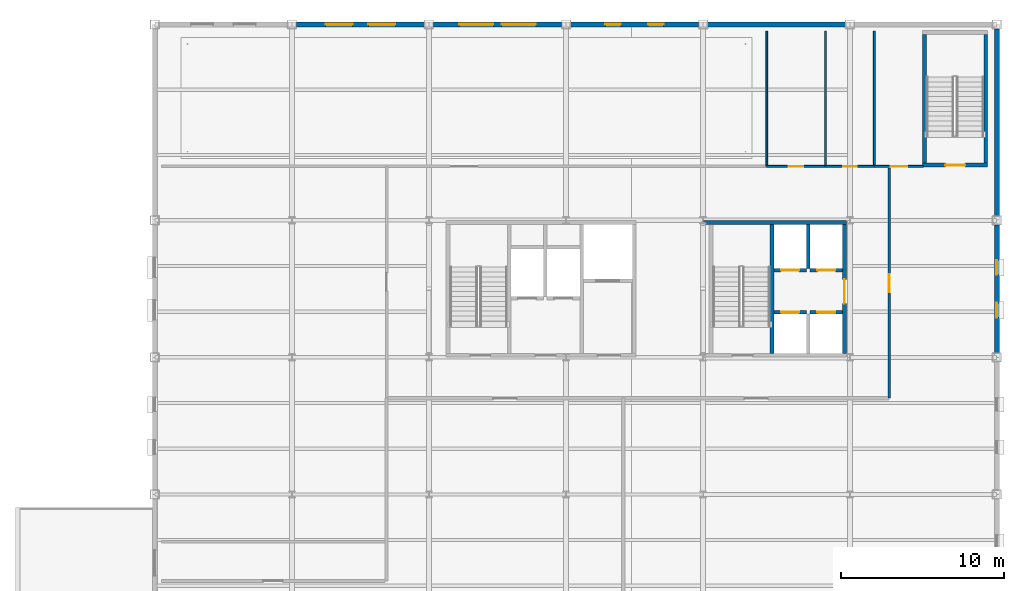
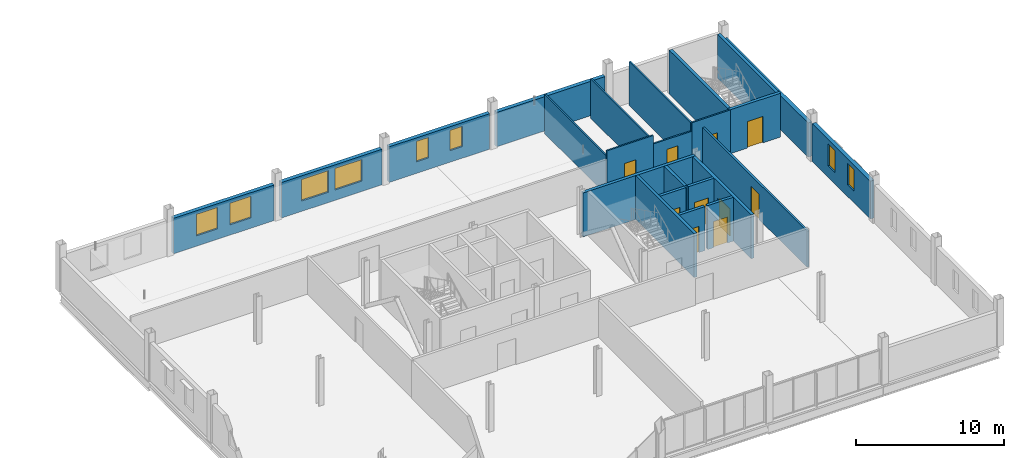
# One storey, part 64 of 77: 24 walls, 10 doors, 8 windows, 18 openings.
"""IFC4 building model written with IfcOpenShell, lengths in metres."""

from ifc_helpers import new_model, si_unit, direction, frame, frame_2d, origin, place, context, subcontext, project, spatial, rectangle, extrude, material, layer, layer_set, type_object, element, fill, save


model = new_model("IFC4")

# Units and contexts
model_context = context("Model", 3, precision=1e-05, world=origin(), true_north=direction((0.0, 1.0)))
body_context = subcontext(model_context, "Body", "Model", "MODEL_VIEW")
ifc_project = project(units=[si_unit("LENGTHUNIT", "METRE"), si_unit("AREAUNIT", "SQUARE_METRE"), si_unit("VOLUMEUNIT", "CUBIC_METRE"), si_unit("PLANEANGLEUNIT", "RADIAN"), si_unit("MASSUNIT", "GRAM", prefix="KILO")], contexts=[model_context])

# Site, building, storey
site_placement = place(None, origin())
site = spatial("IfcSite", under=ifc_project, at=site_placement, CompositionType="ELEMENT")
building_placement = place(site_placement, origin())
building = spatial("IfcBuilding", under=site, at=building_placement, Name="Yukiwa Park Conservatory and Herbarium", CompositionType="ELEMENT")
storey_placement = place(building_placement, frame((0.0, 0.0, 13.199951171875)))
storey = spatial("IfcBuildingStorey", under=building, at=storey_placement, Name="L03", CompositionType="ELEMENT", Elevation=13.199951171875)

# Walls
ifc_material_1 = material(Name="Concrete C40", Category="concrete")
ifc_layer_1 = layer(ifc_material_1, 0.219970703125)
ifc_layer_set_1 = layer_set([ifc_layer_1], Name="Concrete C40")
wall_type_1 = type_object("IfcWallType", Name="WL-CORE-RC220", PredefinedType="SHEAR", material=ifc_layer_set_1)
wall_1_placement = place(storey_placement, frame((154.219970703125, 95.050048828125, 0.0), z_axis=(0.0, 0.0, 1.0), x_axis=(0.0, 1.0, 0.0)))
element("IfcWall", 1, at=wall_1_placement, inside=storey, type_object=wall_type_1, Name="L03 core shear wall 315", PredefinedType="SHEAR", context=body_context, shape_type="SweptSolid", body=[
    extrude(rectangle(XDim=7.89990234375, YDim=0.219970703125, at=frame_2d((3.949951171875, 0.0))), origin(), (0.0, 0.0, 1.0), 3.6201171875),
])
wall_2_placement = place(storey_placement, frame((156.43994140625, 100.25, 0.0), z_axis=(0.0, 0.0, 1.0), x_axis=(0.0, 1.0, 0.0)))
element("IfcWall", 2, at=wall_2_placement, inside=storey, type_object=wall_type_1, Name="L03 core shear wall 317", PredefinedType="SHEAR", context=body_context, shape_type="SweptSolid", body=[
    extrude(rectangle(XDim=2.699951171875, YDim=0.219970703125, at=frame_2d((1.35009765625, 0.0))), origin(), (0.0, 0.0, 1.0), 3.6201171875),
])

# Wall, opening, door
wall_3_placement = place(storey_placement, frame((154.330078125, 100.139892578125, 0.0), z_axis=(0.0, 0.0, 1.0), x_axis=(1.0, 0.0, 0.0)))
wall_3 = element("IfcWall", 3, at=wall_3_placement, inside=storey, type_object=wall_type_1, Name="L03 core shear wall 318", PredefinedType="SHEAR", context=body_context, shape_type="SweptSolid", body=[
    extrude(rectangle(XDim=2.0, YDim=0.219970703125, at=frame_2d((1.0, 0.0))), origin(), (0.0, 0.0, 1.0), 3.6201171875),
])
opening_1_placement = place(wall_3_placement, frame((0.449951171875, 0.0, 0.0)))
opening_1 = element("IfcOpeningElement", 4, at=opening_1_placement, cuts=wall_3, Name="Opening LD-01", PredefinedType="OPENING", context=body_context, shape_type="SweptSolid", body=[
    extrude(rectangle(XDim=1.10009765625, YDim=2.14990234375, at=frame_2d((0.550048828125, 1.074951171875))), frame((0.0, 0.1201171875, 0.0), z_axis=(0.0, -1.0, 0.0), x_axis=(1.0, 0.0, 0.0)), (0.0, 0.0, 1.0), 0.239990234375),
])
ifc_material_2 = material(Name="Steel Q235B", Category="steel")
door_type_1 = type_object("IfcDoorType", Name="DR-LIFT-LD1100", OperationType="SLIDING_TO_LEFT", PredefinedType="DOOR", material=ifc_material_2)
door_1_placement = place(opening_1_placement, origin())
door_1 = element("IfcDoor", 5, at=door_1_placement, inside=storey, type_object=door_type_1, Name="L03 Passenger Lift LP1 sliding landing door", OperationType="SLIDING_TO_LEFT", OverallHeight=2.14990234375, OverallWidth=1.10009765625, PredefinedType="DOOR", context=body_context, shape_type="SweptSolid", body=[
    extrude(rectangle(XDim=1.10009765625, YDim=2.14990234375, at=frame_2d((0.550048828125, 1.074951171875))), frame((0.0, 0.02490234375, 0.0), z_axis=(0.0, -1.0, 0.0), x_axis=(1.0, 0.0, 0.0)), (0.0, 0.0, 1.0), 0.050048828125),
])
fill(opening_1, door_1)

wall_4_placement = place(storey_placement, frame((156.550048828125, 100.139892578125, 0.0), z_axis=(0.0, 0.0, 1.0), x_axis=(1.0, 0.0, 0.0)))
wall_4 = element("IfcWall", 6, at=wall_4_placement, inside=storey, type_object=wall_type_1, Name="L03 core shear wall 319", PredefinedType="SHEAR", context=body_context, shape_type="SweptSolid", body=[
    extrude(rectangle(XDim=2.0, YDim=0.219970703125, at=frame_2d((1.0, 0.0))), origin(), (0.0, 0.0, 1.0), 3.6201171875),
])
opening_2_placement = place(wall_4_placement, frame((0.449951171875, 0.0, 0.0)))
opening_2 = element("IfcOpeningElement", 7, at=opening_2_placement, cuts=wall_4, Name="Opening LD-01", PredefinedType="OPENING", context=body_context, shape_type="SweptSolid", body=[
    extrude(rectangle(XDim=1.10009765625, YDim=2.14990234375, at=frame_2d((0.550048828125, 1.074951171875))), frame((0.0, 0.1201171875, 0.0), z_axis=(0.0, -1.0, 0.0), x_axis=(1.0, 0.0, 0.0)), (0.0, 0.0, 1.0), 0.239990234375),
])
door_2_placement = place(opening_2_placement, origin())
door_2 = element("IfcDoor", 8, at=door_2_placement, inside=storey, type_object=door_type_1, Name="L03 Passenger Lift LP2 sliding landing door", OperationType="SLIDING_TO_LEFT", OverallHeight=2.14990234375, OverallWidth=1.10009765625, PredefinedType="DOOR", context=body_context, shape_type="SweptSolid", body=[
    extrude(rectangle(XDim=1.10009765625, YDim=2.14990234375, at=frame_2d((0.550048828125, 1.074951171875))), frame((0.0, 0.02490234375, 0.0), z_axis=(0.0, -1.0, 0.0), x_axis=(1.0, 0.0, 0.0)), (0.0, 0.0, 1.0), 0.050048828125),
])
fill(opening_2, door_2)

wall_5_placement = place(storey_placement, frame((154.330078125, 97.56005859375, 0.0), z_axis=(0.0, 0.0, 1.0), x_axis=(1.0, 0.0, 0.0)))
wall_5 = element("IfcWall", 9, at=wall_5_placement, inside=storey, type_object=wall_type_1, Name="L03 core shear wall 321", PredefinedType="SHEAR", context=body_context, shape_type="SweptSolid", body=[
    extrude(rectangle(XDim=2.0, YDim=0.219970703125, at=frame_2d((1.0, 0.0))), origin(), (0.0, 0.0, 1.0), 3.6201171875),
])
opening_3_placement = place(wall_5_placement, frame((0.449951171875, 0.0, 0.0)))
opening_3 = element("IfcOpeningElement", 10, at=opening_3_placement, cuts=wall_5, Name="Opening LD-01", PredefinedType="OPENING", context=body_context, shape_type="SweptSolid", body=[
    extrude(rectangle(XDim=1.10009765625, YDim=2.14990234375, at=frame_2d((0.550048828125, 1.074951171875))), frame((0.0, 0.1201171875, 0.0), z_axis=(0.0, -1.0, 0.0), x_axis=(1.0, 0.0, 0.0)), (0.0, 0.0, 1.0), 0.239990234375),
])
door_3_placement = place(opening_3_placement, origin())
door_3 = element("IfcDoor", 11, at=door_3_placement, inside=storey, type_object=door_type_1, Name="L03 Passenger Lift LP3 sliding landing door", OperationType="SLIDING_TO_LEFT", OverallHeight=2.14990234375, OverallWidth=1.10009765625, PredefinedType="DOOR", context=body_context, shape_type="SweptSolid", body=[
    extrude(rectangle(XDim=1.10009765625, YDim=2.14990234375, at=frame_2d((0.550048828125, 1.074951171875))), frame((0.0, 0.02490234375, 0.0), z_axis=(0.0, -1.0, 0.0), x_axis=(1.0, 0.0, 0.0)), (0.0, 0.0, 1.0), 0.050048828125),
])
fill(opening_3, door_3)

wall_6_placement = place(storey_placement, frame((156.550048828125, 97.56005859375, 0.0), z_axis=(0.0, 0.0, 1.0), x_axis=(1.0, 0.0, 0.0)))
wall_6 = element("IfcWall", 12, at=wall_6_placement, inside=storey, type_object=wall_type_1, Name="L03 core shear wall 322", PredefinedType="SHEAR", context=body_context, shape_type="SweptSolid", body=[
    extrude(rectangle(XDim=2.0, YDim=0.219970703125, at=frame_2d((1.0, 0.0))), origin(), (0.0, 0.0, 1.0), 3.6201171875),
])
opening_4_placement = place(wall_6_placement, frame((0.449951171875, 0.0, 0.0)))
opening_4 = element("IfcOpeningElement", 13, at=opening_4_placement, cuts=wall_6, Name="Opening LD-01", PredefinedType="OPENING", context=body_context, shape_type="SweptSolid", body=[
    extrude(rectangle(XDim=1.10009765625, YDim=2.14990234375, at=frame_2d((0.550048828125, 1.074951171875))), frame((0.0, 0.1201171875, 0.0), z_axis=(0.0, -1.0, 0.0), x_axis=(1.0, 0.0, 0.0)), (0.0, 0.0, 1.0), 0.239990234375),
])
door_4_placement = place(opening_4_placement, origin())
door_4 = element("IfcDoor", 14, at=door_4_placement, inside=storey, type_object=door_type_1, Name="L03 Passenger Lift LP4 sliding landing door", OperationType="SLIDING_TO_LEFT", OverallHeight=2.14990234375, OverallWidth=1.10009765625, PredefinedType="DOOR", context=body_context, shape_type="SweptSolid", body=[
    extrude(rectangle(XDim=1.10009765625, YDim=2.14990234375, at=frame_2d((0.550048828125, 1.074951171875))), frame((0.0, 0.02490234375, 0.0), z_axis=(0.0, -1.0, 0.0), x_axis=(1.0, 0.0, 0.0)), (0.0, 0.0, 1.0), 0.050048828125),
])
fill(opening_4, door_4)

# Wall
ifc_material_3 = material(Name="Concrete C50", Category="concrete")
ifc_layer_2 = layer(ifc_material_3, 0.239990234375)
ifc_layer_set_2 = layer_set([ifc_layer_2], Name="Concrete C50")
wall_type_2 = type_object("IfcWallType", Name="WL-CORE-RC240", PredefinedType="SHEAR", material=ifc_layer_set_2)
wall_7_placement = place(storey_placement, frame((150.02001953125, 103.070068359375, 0.0), z_axis=(0.0, 0.0, 1.0), x_axis=(1.0, 0.0, 0.0)))
element("IfcWall", 15, at=wall_7_placement, inside=storey, type_object=wall_type_2, Name="L03 core shear wall 313", PredefinedType="SHEAR", context=body_context, shape_type="SweptSolid", body=[
    extrude(rectangle(XDim=8.77001953125, YDim=0.239990234375, at=frame_2d((4.385009765625, 0.0))), origin(), (0.0, 0.0, 1.0), 3.6201171875),
])

# Wall, opening, door
wall_8_placement = place(storey_placement, frame((158.669921875, 95.050048828125, 0.0), z_axis=(0.0, 0.0, 1.0), x_axis=(0.0, 1.0, 0.0)))
wall_8 = element("IfcWall", 16, at=wall_8_placement, inside=storey, type_object=wall_type_2, Name="L03 core shear wall 316", PredefinedType="SHEAR", context=body_context, shape_type="SweptSolid", body=[
    extrude(rectangle(XDim=7.89990234375, YDim=0.239990234375, at=frame_2d((3.949951171875, 0.0))), origin(), (0.0, 0.0, 1.0), 3.6201171875),
])
opening_5_placement = place(wall_8_placement, frame((3.050048828125, 0.0, 0.0)))
opening_5 = element("IfcOpeningElement", 17, at=opening_5_placement, cuts=wall_8, Name="Opening FD-07", PredefinedType="OPENING", context=body_context, shape_type="SweptSolid", body=[
    extrude(rectangle(XDim=1.47998046875, YDim=2.219970703125, at=frame_2d((0.739990234375, 1.10986328125))), frame((0.0, 0.1298828125, 0.0), z_axis=(0.0, -1.0, 0.0), x_axis=(1.0, 0.0, 0.0)), (0.0, 0.0, 1.0), 0.260009765625),
])
ifc_material_4 = material(Name="Steel Q235B", Category="steel")
door_type_2 = type_object("IfcDoorType", Name="DR-FIRE-FD60-1500", OperationType="DOUBLE_DOOR_SINGLE_SWING", PredefinedType="DOOR", material=ifc_material_4)
door_5_placement = place(opening_5_placement, origin())
door_5 = element("IfcDoor", 18, at=door_5_placement, inside=storey, type_object=door_type_2, Name="L03 Tower Passenger Lift Lobby double fire door", OperationType="DOUBLE_DOOR_SINGLE_SWING", OverallHeight=2.219970703125, OverallWidth=1.47998046875, PredefinedType="DOOR", context=body_context, shape_type="SweptSolid", body=[
    extrude(rectangle(XDim=1.47998046875, YDim=2.219970703125, at=frame_2d((0.739990234375, 1.10986328125))), frame((0.0, 0.02490234375, 0.0), z_axis=(0.0, -1.0, 0.0), x_axis=(1.0, 0.0, 0.0)), (0.0, 0.0, 1.0), 0.050048828125),
])
fill(opening_5, door_5)

wall_9_placement = place(storey_placement, frame((163.449951171875, 106.580078125, 0.0), z_axis=(0.0, 0.0, 1.0), x_axis=(1.0, 0.0, 0.0)))
wall_9 = element("IfcWall", 19, at=wall_9_placement, inside=storey, type_object=wall_type_2, Name="L03 core shear wall 327", PredefinedType="SHEAR", context=body_context, shape_type="SweptSolid", body=[
    extrude(rectangle(XDim=3.989990234375, YDim=0.239990234375, at=frame_2d((1.9951171875, 0.0))), origin(), (0.0, 0.0, 1.0), 3.6201171875),
])
opening_6_placement = place(wall_9_placement, frame((1.39501953125, 0.0, 0.0)))
opening_6 = element("IfcOpeningElement", 20, at=opening_6_placement, cuts=wall_9, Name="Opening SD-01", PredefinedType="OPENING", context=body_context, shape_type="SweptSolid", body=[
    extrude(rectangle(XDim=1.219970703125, YDim=2.179931640625, at=frame_2d((0.60986328125, 1.08984375))), frame((0.0, 0.1298828125, 0.0), z_axis=(0.0, -1.0, 0.0), x_axis=(1.0, 0.0, 0.0)), (0.0, 0.0, 1.0), 0.260009765625),
])
ifc_material_5 = material(Name="Steel Q235B", Category="steel")
door_type_3 = type_object("IfcDoorType", Name="DR-STAIR-FD90-1200", OperationType="SINGLE_SWING_LEFT", PredefinedType="DOOR", material=ifc_material_5)
door_6_placement = place(opening_6_placement, origin())
door_6 = element("IfcDoor", 21, at=door_6_placement, inside=storey, type_object=door_type_3, Name="L03 Stairwell ST-T3 fire door", OperationType="SINGLE_SWING_LEFT", OverallHeight=2.179931640625, OverallWidth=1.219970703125, PredefinedType="DOOR", context=body_context, shape_type="SweptSolid", body=[
    extrude(rectangle(XDim=1.219970703125, YDim=2.179931640625, at=frame_2d((0.60986328125, 1.08984375))), frame((0.0, 0.02490234375, 0.0), z_axis=(0.0, -1.0, 0.0), x_axis=(1.0, 0.0, 0.0)), (0.0, 0.0, 1.0), 0.050048828125),
])
fill(opening_6, door_6)

# Walls
for number, where, z_axis, x_axis, name in (
    (22, (163.570068359375, 106.699951171875, 0.0), (0.0, 0.0, 1.0), (0.0, 1.0, 0.0), "L03 core shear wall 329"),
    (23, (167.320068359375, 106.699951171875, 0.0), (0.0, 0.0, 1.0), (0.0, 1.0, 0.0), "L03 core shear wall 330"),
):
    element("IfcWall", number, at=place(storey_placement, frame(where, z_axis=z_axis, x_axis=x_axis)), inside=storey, type_object=wall_type_2, Name=name, PredefinedType="SHEAR", context=body_context, shape_type="SweptSolid", body=[
        extrude(rectangle(XDim=7.900146484375, YDim=0.239990234375, at=frame_2d((3.9501953125, 0.0))), origin(), (0.0, 0.0, 1.0), 3.6201171875),
    ])

# Wall, openings, windows
ifc_material_6 = material(Name="Pale Granite Cladding", Category="masonry")
ifc_layer_3 = layer(ifc_material_6, 0.300048828125)
ifc_layer_set_3 = layer_set([ifc_layer_3], Name="Pale Granite Cladding")
wall_type_3 = type_object("IfcWallType", Name="WL-EXT-GRAN-300", PredefinedType="SOLIDWALL", material=ifc_layer_set_3)
wall_10_placement = place(storey_placement, frame((168.0, 95.074951171875, 0.0), z_axis=(0.0, 0.0, 1.0), x_axis=(0.0, 1.0, 0.0)))
wall_10 = element("IfcWall", 24, at=wall_10_placement, inside=storey, type_object=wall_type_3, Name="L03 exterior envelope wall 245", PredefinedType="SOLIDWALL", context=body_context, shape_type="SweptSolid", body=[
    extrude(rectangle(XDim=7.85009765625, YDim=0.300048828125, at=frame_2d((3.925048828125, 0.0))), origin(), (0.0, 0.0, 1.0), 3.1201171875),
])
opening_7_placement = place(wall_10_placement, frame((2.1669921875, 0.0, 0.949951171875)))
opening_7 = element("IfcOpeningElement", 25, at=opening_7_placement, cuts=wall_10, Name="Opening W-01", PredefinedType="OPENING", context=body_context, shape_type="SweptSolid", body=[
    extrude(rectangle(XDim=0.89990234375, YDim=1.800048828125, at=frame_2d((0.449951171875, 0.89990234375))), frame((0.0, 0.16015625, 0.0), z_axis=(0.0, -1.0, 0.0), x_axis=(1.0, 0.0, 0.0)), (0.0, 0.0, 1.0), 0.320068359375),
])
opening_8_placement = place(wall_10_placement, frame((4.782958984375, 0.0, 0.949951171875)))
opening_8 = element("IfcOpeningElement", 26, at=opening_8_placement, cuts=wall_10, Name="Opening W-01", PredefinedType="OPENING", context=body_context, shape_type="SweptSolid", body=[
    extrude(rectangle(XDim=0.89990234375, YDim=1.800048828125, at=frame_2d((0.449951171875, 0.89990234375))), frame((0.0, 0.16015625, 0.0), z_axis=(0.0, -1.0, 0.0), x_axis=(1.0, 0.0, 0.0)), (0.0, 0.0, 1.0), 0.320068359375),
])
ifc_material_7 = material(Name="Triple Low-E Insulated Glass", Category="glass")
window_type_1 = type_object("IfcWindowType", Name="WN-TW-0900X1800", PartitioningType="SINGLE_PANEL", PredefinedType="WINDOW", material=ifc_material_7)
window_1_placement = place(opening_7_placement, origin())
window_1 = element("IfcWindow", 27, at=window_1_placement, inside=storey, type_object=window_type_1, Name="L03 deep-reveal triple-glazed window 182", OverallHeight=1.800048828125, OverallWidth=0.89990234375, PartitioningType="SINGLE_PANEL", PredefinedType="WINDOW", context=body_context, shape_type="SweptSolid", body=[
    extrude(rectangle(XDim=0.89990234375, YDim=1.800048828125, at=frame_2d((0.449951171875, 0.89990234375))), frame((0.0, 0.030029296875, 0.0), z_axis=(0.0, -1.0, 0.0), x_axis=(1.0, 0.0, 0.0)), (0.0, 0.0, 1.0), 0.06005859375),
])
fill(opening_7, window_1)
window_2_placement = place(opening_8_placement, origin())
window_2 = element("IfcWindow", 28, at=window_2_placement, inside=storey, type_object=window_type_1, Name="L03 deep-reveal triple-glazed window 183", OverallHeight=1.800048828125, OverallWidth=0.89990234375, PartitioningType="SINGLE_PANEL", PredefinedType="WINDOW", context=body_context, shape_type="SweptSolid", body=[
    extrude(rectangle(XDim=0.89990234375, YDim=1.800048828125, at=frame_2d((0.449951171875, 0.89990234375))), frame((0.0, 0.030029296875, 0.0), z_axis=(0.0, -1.0, 0.0), x_axis=(1.0, 0.0, 0.0)), (0.0, 0.0, 1.0), 0.06005859375),
])
fill(opening_8, window_2)

# Walls
wall_11_placement = place(storey_placement, frame((168.0, 103.47509765625, 0.0), z_axis=(0.0, 0.0, 1.0), x_axis=(0.0, 1.0, 0.0)))
element("IfcWall", 29, at=wall_11_placement, inside=storey, type_object=wall_type_3, Name="L03 exterior envelope wall 246", PredefinedType="SOLIDWALL", context=body_context, shape_type="SweptSolid", body=[
    extrude(rectangle(XDim=11.449951171875, YDim=0.300048828125, at=frame_2d((5.72509765625, 0.0))), origin(), (0.0, 0.0, 1.0), 2.828125),
])
wall_12_placement = place(storey_placement, frame((158.72509765625, 115.199951171875, 0.0), z_axis=(0.0, 0.0, 1.0), x_axis=(-1.0, 0.0, 0.0)))
element("IfcWall", 30, at=wall_12_placement, inside=storey, type_object=wall_type_3, Name="L03 exterior envelope wall 248", PredefinedType="SOLIDWALL", context=body_context, shape_type="SweptSolid", body=[
    extrude(rectangle(XDim=8.4501953125, YDim=0.300048828125, at=frame_2d((4.22509765625, 0.0))), origin(), (0.0, 0.0, 1.0), 2.828125),
])

# Wall, openings, windows
wall_13_placement = place(storey_placement, frame((149.72509765625, 115.199951171875, 0.0), z_axis=(0.0, 0.0, 1.0), x_axis=(-1.0, 0.0, 0.0)))
wall_13 = element("IfcWall", 31, at=wall_13_placement, inside=storey, type_object=wall_type_3, Name="L03 exterior envelope wall 249", PredefinedType="SOLIDWALL", context=body_context, shape_type="SweptSolid", body=[
    extrude(rectangle(XDim=7.85009765625, YDim=0.300048828125, at=frame_2d((3.925048828125, 0.0))), origin(), (0.0, 0.0, 1.0), 2.927978515625),
])
opening_9_placement = place(wall_13_placement, frame((2.14208984375, 0.0, 0.949951171875)))
opening_9 = element("IfcOpeningElement", 32, at=opening_9_placement, cuts=wall_13, Name="Opening W-21", PredefinedType="OPENING", context=body_context, shape_type="SweptSolid", body=[
    extrude(rectangle(XDim=0.949951171875, YDim=1.679931640625, at=frame_2d((0.47509765625, 0.83984375))), frame((0.0, 0.16015625, 0.0), z_axis=(0.0, -1.0, 0.0), x_axis=(1.0, 0.0, 0.0)), (0.0, 0.0, 1.0), 0.320068359375),
])
opening_10_placement = place(wall_13_placement, frame((4.758056640625, 0.0, 0.949951171875)))
opening_10 = element("IfcOpeningElement", 33, at=opening_10_placement, cuts=wall_13, Name="Opening W-21", PredefinedType="OPENING", context=body_context, shape_type="SweptSolid", body=[
    extrude(rectangle(XDim=0.949951171875, YDim=1.679931640625, at=frame_2d((0.47509765625, 0.83984375))), frame((0.0, 0.16015625, 0.0), z_axis=(0.0, -1.0, 0.0), x_axis=(1.0, 0.0, 0.0)), (0.0, 0.0, 1.0), 0.320068359375),
])
ifc_material_8 = material(Name="Triple Low-E Insulated Glass", Category="glass")
window_type_2 = type_object("IfcWindowType", Name="WN-TW-0950X1750", PartitioningType="SINGLE_PANEL", PredefinedType="WINDOW", material=ifc_material_8)
window_3_placement = place(opening_9_placement, origin())
window_3 = element("IfcWindow", 34, at=window_3_placement, inside=storey, type_object=window_type_2, Name="L03 deep-reveal triple-glazed window 184", OverallHeight=1.679931640625, OverallWidth=0.949951171875, PartitioningType="SINGLE_PANEL", PredefinedType="WINDOW", context=body_context, shape_type="SweptSolid", body=[
    extrude(rectangle(XDim=0.949951171875, YDim=1.679931640625, at=frame_2d((0.47509765625, 0.83984375))), frame((0.0, 0.030029296875, 0.0), z_axis=(0.0, -1.0, 0.0), x_axis=(1.0, 0.0, 0.0)), (0.0, 0.0, 1.0), 0.06005859375),
])
fill(opening_9, window_3)
window_4_placement = place(opening_10_placement, origin())
window_4 = element("IfcWindow", 35, at=window_4_placement, inside=storey, type_object=window_type_2, Name="L03 deep-reveal triple-glazed window 185", OverallHeight=1.679931640625, OverallWidth=0.949951171875, PartitioningType="SINGLE_PANEL", PredefinedType="WINDOW", context=body_context, shape_type="SweptSolid", body=[
    extrude(rectangle(XDim=0.949951171875, YDim=1.679931640625, at=frame_2d((0.47509765625, 0.83984375))), frame((0.0, 0.030029296875, 0.0), z_axis=(0.0, -1.0, 0.0), x_axis=(1.0, 0.0, 0.0)), (0.0, 0.0, 1.0), 0.06005859375),
])
fill(opening_10, window_4)

wall_14_placement = place(storey_placement, frame((141.324951171875, 115.199951171875, 0.0), z_axis=(0.0, 0.0, 1.0), x_axis=(-1.0, 0.0, 0.0)))
wall_14 = element("IfcWall", 36, at=wall_14_placement, inside=storey, type_object=wall_type_3, Name="L03 exterior envelope wall 250", PredefinedType="SOLIDWALL", context=body_context, shape_type="SweptSolid", body=[
    extrude(rectangle(XDim=7.849853515625, YDim=0.300048828125, at=frame_2d((3.9248046875, 0.0))), origin(), (0.0, 0.0, 1.0), 2.927978515625),
])
opening_11_placement = place(wall_14_placement, frame((1.56689453125, 0.0, 0.85009765625)))
opening_11 = element("IfcOpeningElement", 37, at=opening_11_placement, cuts=wall_14, Name="Opening W-08", PredefinedType="OPENING", context=body_context, shape_type="SweptSolid", body=[
    extrude(rectangle(XDim=2.10009765625, YDim=1.780029296875, at=frame_2d((1.050048828125, 0.89013671875))), frame((0.0, 0.16015625, 0.0), z_axis=(0.0, -1.0, 0.0), x_axis=(1.0, 0.0, 0.0)), (0.0, 0.0, 1.0), 0.320068359375),
])
opening_12_placement = place(wall_14_placement, frame((4.18310546875, 0.0, 0.85009765625)))
opening_12 = element("IfcOpeningElement", 38, at=opening_12_placement, cuts=wall_14, Name="Opening W-08", PredefinedType="OPENING", context=body_context, shape_type="SweptSolid", body=[
    extrude(rectangle(XDim=2.10009765625, YDim=1.780029296875, at=frame_2d((1.050048828125, 0.89013671875))), frame((0.0, 0.16015625, 0.0), z_axis=(0.0, -1.0, 0.0), x_axis=(1.0, 0.0, 0.0)), (0.0, 0.0, 1.0), 0.320068359375),
])
ifc_material_9 = material(Name="Triple Low-E Insulated Glass", Category="glass")
window_type_3 = type_object("IfcWindowType", Name="WN-TW-2100X2100", PartitioningType="SINGLE_PANEL", PredefinedType="WINDOW", material=ifc_material_9)
window_5_placement = place(opening_11_placement, origin())
window_5 = element("IfcWindow", 39, at=window_5_placement, inside=storey, type_object=window_type_3, Name="L03 deep-reveal triple-glazed window 186", OverallHeight=1.780029296875, OverallWidth=2.10009765625, PartitioningType="SINGLE_PANEL", PredefinedType="WINDOW", context=body_context, shape_type="SweptSolid", body=[
    extrude(rectangle(XDim=2.10009765625, YDim=1.780029296875, at=frame_2d((1.050048828125, 0.89013671875))), frame((0.0, 0.030029296875, 0.0), z_axis=(0.0, -1.0, 0.0), x_axis=(1.0, 0.0, 0.0)), (0.0, 0.0, 1.0), 0.06005859375),
])
fill(opening_11, window_5)
window_6_placement = place(opening_12_placement, origin())
window_6 = element("IfcWindow", 40, at=window_6_placement, inside=storey, type_object=window_type_3, Name="L03 deep-reveal triple-glazed window 187", OverallHeight=1.780029296875, OverallWidth=2.10009765625, PartitioningType="SINGLE_PANEL", PredefinedType="WINDOW", context=body_context, shape_type="SweptSolid", body=[
    extrude(rectangle(XDim=2.10009765625, YDim=1.780029296875, at=frame_2d((1.050048828125, 0.89013671875))), frame((0.0, 0.030029296875, 0.0), z_axis=(0.0, -1.0, 0.0), x_axis=(1.0, 0.0, 0.0)), (0.0, 0.0, 1.0), 0.06005859375),
])
fill(opening_12, window_6)

wall_15_placement = place(storey_placement, frame((132.925048828125, 115.199951171875, 0.0), z_axis=(0.0, 0.0, 1.0), x_axis=(-1.0, 0.0, 0.0)))
wall_15 = element("IfcWall", 41, at=wall_15_placement, inside=storey, type_object=wall_type_3, Name="L03 exterior envelope wall 251", PredefinedType="SOLIDWALL", context=body_context, shape_type="SweptSolid", body=[
    extrude(rectangle(XDim=7.85009765625, YDim=0.300048828125, at=frame_2d((3.925048828125, 0.0))), origin(), (0.0, 0.0, 1.0), 2.927978515625),
])
opening_13_placement = place(wall_15_placement, frame((1.7919921875, 0.0, 0.85009765625)))
opening_13 = element("IfcOpeningElement", 42, at=opening_13_placement, cuts=wall_15, Name="Opening W-06", PredefinedType="OPENING", context=body_context, shape_type="SweptSolid", body=[
    extrude(rectangle(XDim=1.64990234375, YDim=1.780029296875, at=frame_2d((0.824951171875, 0.89013671875))), frame((0.0, 0.16015625, 0.0), z_axis=(0.0, -1.0, 0.0), x_axis=(1.0, 0.0, 0.0)), (0.0, 0.0, 1.0), 0.320068359375),
])
opening_14_placement = place(wall_15_placement, frame((4.407958984375, 0.0, 0.85009765625)))
opening_14 = element("IfcOpeningElement", 43, at=opening_14_placement, cuts=wall_15, Name="Opening W-06", PredefinedType="OPENING", context=body_context, shape_type="SweptSolid", body=[
    extrude(rectangle(XDim=1.64990234375, YDim=1.780029296875, at=frame_2d((0.824951171875, 0.89013671875))), frame((0.0, 0.16015625, 0.0), z_axis=(0.0, -1.0, 0.0), x_axis=(1.0, 0.0, 0.0)), (0.0, 0.0, 1.0), 0.320068359375),
])
ifc_material_10 = material(Name="Triple Low-E Insulated Glass", Category="glass")
window_type_4 = type_object("IfcWindowType", Name="WN-TW-1650X2100", PartitioningType="SINGLE_PANEL", PredefinedType="WINDOW", material=ifc_material_10)
window_7_placement = place(opening_13_placement, origin())
window_7 = element("IfcWindow", 44, at=window_7_placement, inside=storey, type_object=window_type_4, Name="L03 deep-reveal triple-glazed window 188", OverallHeight=1.780029296875, OverallWidth=1.64990234375, PartitioningType="SINGLE_PANEL", PredefinedType="WINDOW", context=body_context, shape_type="SweptSolid", body=[
    extrude(rectangle(XDim=1.64990234375, YDim=1.780029296875, at=frame_2d((0.824951171875, 0.89013671875))), frame((0.0, 0.030029296875, 0.0), z_axis=(0.0, -1.0, 0.0), x_axis=(1.0, 0.0, 0.0)), (0.0, 0.0, 1.0), 0.06005859375),
])
fill(opening_13, window_7)
window_8_placement = place(opening_14_placement, origin())
window_8 = element("IfcWindow", 45, at=window_8_placement, inside=storey, type_object=window_type_4, Name="L03 deep-reveal triple-glazed window 189", OverallHeight=1.780029296875, OverallWidth=1.64990234375, PartitioningType="SINGLE_PANEL", PredefinedType="WINDOW", context=body_context, shape_type="SweptSolid", body=[
    extrude(rectangle(XDim=1.64990234375, YDim=1.780029296875, at=frame_2d((0.824951171875, 0.89013671875))), frame((0.0, 0.030029296875, 0.0), z_axis=(0.0, -1.0, 0.0), x_axis=(1.0, 0.0, 0.0)), (0.0, 0.0, 1.0), 0.06005859375),
])
fill(opening_14, window_8)

# Wall, opening, door
ifc_material_11 = material(Name="Gypsum Board Partition", Category="gypsum")
ifc_layer_4 = layer(ifc_material_11, 0.159912109375)
ifc_layer_set_4 = layer_set([ifc_layer_4], Name="Gypsum Board Partition")
wall_type_4 = type_object("IfcWallType", Name="WL-PART-GYP-160", PredefinedType="PARTITIONING", material=ifc_layer_set_4)
wall_16_placement = place(storey_placement, frame((161.39990234375, 92.300048828125, 0.0), z_axis=(0.0, 0.0, 1.0), x_axis=(0.0, 1.0, 0.0)))
wall_16 = element("IfcWall", 46, at=wall_16_placement, inside=storey, type_object=wall_type_4, Name="L03 interior partition wall 337", PredefinedType="PARTITIONING", context=body_context, shape_type="SweptSolid", body=[
    extrude(rectangle(XDim=14.099853515625, YDim=0.159912109375, at=frame_2d((7.0498046875, 0.0))), origin(), (0.0, 0.0, 1.0), 2.969970703125),
])
opening_15_placement = place(wall_16_placement, frame((6.5, 0.0, 0.0)))
opening_15 = element("IfcOpeningElement", 47, at=opening_15_placement, cuts=wall_16, Name="Opening ID-11", PredefinedType="OPENING", context=body_context, shape_type="SweptSolid", body=[
    extrude(rectangle(XDim=1.080078125, YDim=2.080078125, at=frame_2d((0.5400390625, 1.0400390625))), frame((0.0, 0.08984375, 0.0), z_axis=(0.0, -1.0, 0.0), x_axis=(1.0, 0.0, 0.0)), (0.0, 0.0, 1.0), 0.179931640625),
])
ifc_material_12 = material(Name="Charred Larch Cladding", Category="wood")
door_type_4 = type_object("IfcDoorType", Name="DR-INT-1100", OperationType="SINGLE_SWING_RIGHT", PredefinedType="DOOR", material=ifc_material_12)
door_7_placement = place(opening_15_placement, origin())
door_7 = element("IfcDoor", 48, at=door_7_placement, inside=storey, type_object=door_type_4, Name="L03 L03 east room door", OperationType="SINGLE_SWING_RIGHT", OverallHeight=2.080078125, OverallWidth=1.080078125, PredefinedType="DOOR", context=body_context, shape_type="SweptSolid", body=[
    extrude(rectangle(XDim=1.080078125, YDim=2.080078125, at=frame_2d((0.5400390625, 1.0400390625))), frame((0.0, 0.02490234375, 0.0), z_axis=(0.0, -1.0, 0.0), x_axis=(1.0, 0.0, 0.0)), (0.0, 0.0, 1.0), 0.050048828125),
])
fill(opening_15, door_7)

ifc_material_13 = material(Name="Gypsum Board Partition", Category="gypsum")
ifc_layer_5 = layer(ifc_material_13, 0.1201171875)
ifc_layer_set_5 = layer_set([ifc_layer_5], Name="Gypsum Board Partition")
wall_type_5 = type_object("IfcWallType", Name="WL-PART-WET-150", PredefinedType="PARTITIONING", material=ifc_layer_set_5)
wall_17_placement = place(storey_placement, frame((153.89990234375, 106.5, 0.0), z_axis=(0.0, 0.0, 1.0), x_axis=(1.0, 0.0, 0.0)))
wall_17 = element("IfcWall", 49, at=wall_17_placement, inside=storey, type_object=wall_type_5, Name="L03 interior partition wall 331", PredefinedType="PARTITIONING", context=body_context, shape_type="SweptSolid", body=[
    extrude(rectangle(XDim=3.60009765625, YDim=0.1201171875, at=frame_2d((1.800048828125, 0.0))), origin(), (0.0, 0.0, 1.0), 3.6201171875),
])
opening_16_placement = place(wall_17_placement, frame((1.35009765625, 0.0, 0.0)))
opening_16 = element("IfcOpeningElement", 50, at=opening_16_placement, cuts=wall_17, Name="Opening ID-09", PredefinedType="OPENING", context=body_context, shape_type="SweptSolid", body=[
    extrude(rectangle(XDim=0.89990234375, YDim=2.10009765625, at=frame_2d((0.449951171875, 1.050048828125))), frame((0.0, 0.070068359375, 0.0), z_axis=(0.0, -1.0, 0.0), x_axis=(1.0, 0.0, 0.0)), (0.0, 0.0, 1.0), 0.14013671875),
])
ifc_material_14 = material(Name="Charred Larch Cladding", Category="wood")
door_type_5 = type_object("IfcDoorType", Name="DR-INT-900", OperationType="SINGLE_SWING_LEFT", PredefinedType="DOOR", material=ifc_material_14)
door_8_placement = place(opening_16_placement, origin())
door_8 = element("IfcDoor", 51, at=door_8_placement, inside=storey, type_object=door_type_5, Name="L03 Public WC door", OperationType="SINGLE_SWING_LEFT", OverallHeight=2.10009765625, OverallWidth=0.89990234375, PredefinedType="DOOR", context=body_context, shape_type="SweptSolid", body=[
    extrude(rectangle(XDim=0.89990234375, YDim=2.10009765625, at=frame_2d((0.449951171875, 1.050048828125))), frame((0.0, 0.02490234375, 0.0), z_axis=(0.0, -1.0, 0.0), x_axis=(1.0, 0.0, 0.0)), (0.0, 0.0, 1.0), 0.050048828125),
])
fill(opening_16, door_8)

wall_18_placement = place(storey_placement, frame((157.5, 106.5, 0.0), z_axis=(0.0, 0.0, 1.0), x_axis=(1.0, 0.0, 0.0)))
wall_18 = element("IfcWall", 52, at=wall_18_placement, inside=storey, type_object=wall_type_5, Name="L03 interior partition wall 332", PredefinedType="PARTITIONING", context=body_context, shape_type="SweptSolid", body=[
    extrude(rectangle(XDim=3.0, YDim=0.1201171875, at=frame_2d((1.5, 0.0))), origin(), (0.0, 0.0, 1.0), 2.920166015625),
])
opening_17_placement = place(wall_18_placement, frame((1.074951171875, 0.0, 0.0)))
opening_17 = element("IfcOpeningElement", 53, at=opening_17_placement, cuts=wall_18, Name="Opening ID-85", PredefinedType="OPENING", context=body_context, shape_type="SweptSolid", body=[
    extrude(rectangle(XDim=0.85009765625, YDim=2.10009765625, at=frame_2d((0.425048828125, 1.050048828125))), frame((0.0, 0.070068359375, 0.0), z_axis=(0.0, -1.0, 0.0), x_axis=(1.0, 0.0, 0.0)), (0.0, 0.0, 1.0), 0.14013671875),
])
ifc_material_15 = material(Name="Charred Larch Cladding", Category="wood")
door_type_6 = type_object("IfcDoorType", Name="DR-INT-850", OperationType="SINGLE_SWING_RIGHT", PredefinedType="DOOR", material=ifc_material_15)
door_9_placement = place(opening_17_placement, origin())
door_9 = element("IfcDoor", 54, at=door_9_placement, inside=storey, type_object=door_type_6, Name="L03 Staff WC door", OperationType="SINGLE_SWING_RIGHT", OverallHeight=2.10009765625, OverallWidth=0.85009765625, PredefinedType="DOOR", context=body_context, shape_type="SweptSolid", body=[
    extrude(rectangle(XDim=0.85009765625, YDim=2.10009765625, at=frame_2d((0.425048828125, 1.050048828125))), frame((0.0, 0.02490234375, 0.0), z_axis=(0.0, -1.0, 0.0), x_axis=(1.0, 0.0, 0.0)), (0.0, 0.0, 1.0), 0.050048828125),
])
fill(opening_17, door_9)

wall_19_placement = place(storey_placement, frame((160.5, 106.5, 0.0), z_axis=(0.0, 0.0, 1.0), x_axis=(1.0, 0.0, 0.0)))
wall_19 = element("IfcWall", 55, at=wall_19_placement, inside=storey, type_object=wall_type_5, Name="L03 interior partition wall 333", PredefinedType="PARTITIONING", context=body_context, shape_type="SweptSolid", body=[
    extrude(rectangle(XDim=3.0, YDim=0.1201171875, at=frame_2d((1.5, 0.0))), origin(), (0.0, 0.0, 1.0), 3.6201171875),
])
opening_18_placement = place(wall_19_placement, frame((1.0, 0.0, 0.0)))
opening_18 = element("IfcOpeningElement", 56, at=opening_18_placement, cuts=wall_19, Name="Opening ID-10", PredefinedType="OPENING", context=body_context, shape_type="SweptSolid", body=[
    extrude(rectangle(XDim=1.0, YDim=2.10009765625, at=frame_2d((0.5, 1.050048828125))), frame((0.0, 0.070068359375, 0.0), z_axis=(0.0, -1.0, 0.0), x_axis=(1.0, 0.0, 0.0)), (0.0, 0.0, 1.0), 0.14013671875),
])
ifc_material_16 = material(Name="Charred Larch Cladding", Category="wood")
door_type_7 = type_object("IfcDoorType", Name="DR-ACC-1000", OperationType="SINGLE_SWING_LEFT", PredefinedType="DOOR", material=ifc_material_16)
door_10_placement = place(opening_18_placement, origin())
door_10 = element("IfcDoor", 57, at=door_10_placement, inside=storey, type_object=door_type_7, Name="L03 Accessible WC door", OperationType="SINGLE_SWING_LEFT", OverallHeight=2.10009765625, OverallWidth=1.0, PredefinedType="DOOR", context=body_context, shape_type="SweptSolid", body=[
    extrude(rectangle(XDim=1.0, YDim=2.10009765625, at=frame_2d((0.5, 1.050048828125))), frame((0.0, 0.02490234375, 0.0), z_axis=(0.0, -1.0, 0.0), x_axis=(1.0, 0.0, 0.0)), (0.0, 0.0, 1.0), 0.050048828125),
])
fill(opening_18, door_10)

# Walls
for number, where, z_axis, x_axis, name in (
    (58, (153.89990234375, 106.5, 0.0), (0.0, 0.0, 1.0), (0.0, 1.0, 0.0), "L03 interior partition wall 334"),
    (59, (157.5, 106.5, 0.0), (0.0, 0.0, 1.0), (0.0, 1.0, 0.0), "L03 interior partition wall 335"),
):
    element("IfcWall", number, at=place(storey_placement, frame(where, z_axis=z_axis, x_axis=x_axis)), inside=storey, type_object=wall_type_5, Name=name, PredefinedType="PARTITIONING", context=body_context, shape_type="SweptSolid", body=[
        extrude(rectangle(XDim=8.300048828125, YDim=0.1201171875, at=frame_2d((4.14990234375, 0.0))), origin(), (0.0, 0.0, 1.0), 3.22412109375),
    ])
wall_20_placement = place(storey_placement, frame((160.5, 106.5, 0.0), z_axis=(0.0, 0.0, 1.0), x_axis=(0.0, 1.0, 0.0)))
element("IfcWall", 60, at=wall_20_placement, inside=storey, type_object=wall_type_5, Name="L03 interior partition wall 336", PredefinedType="PARTITIONING", context=body_context, shape_type="SweptSolid", body=[
    extrude(rectangle(XDim=8.300048828125, YDim=0.1201171875, at=frame_2d((4.14990234375, 0.0))), origin(), (0.0, 0.0, 1.0), 3.6201171875),
])

save(model, "model.ifc")
